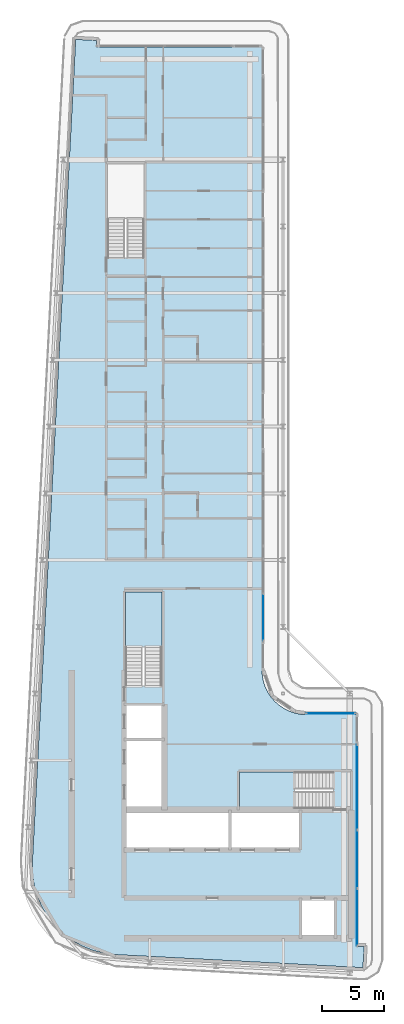
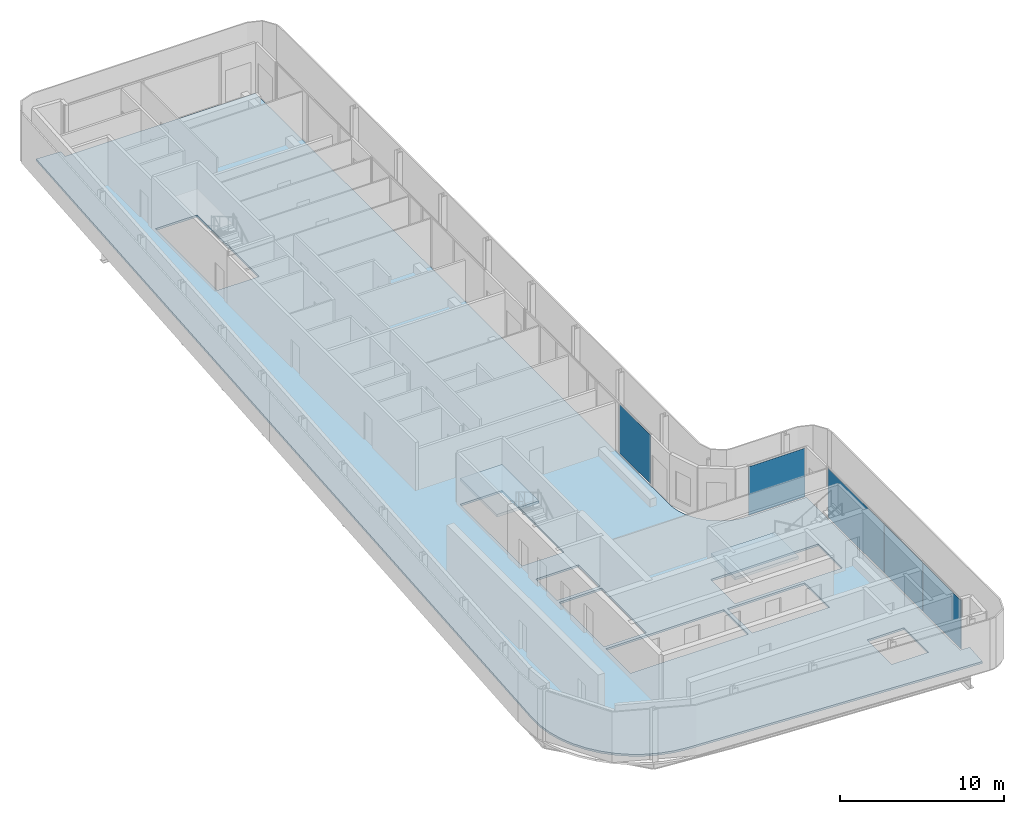
# One storey, part 7 of 18: 5 plates, 3 slabs, 6 elements without a shape of their own.
"""IFC4 building model written with IfcOpenShell, lengths in metres."""

from ifc_helpers import new_model, si_unit, direction, frame, origin, origin_2d, place, context, subcontext, project, spatial, polyline, rectangle, outline, extrude, material, layer, layer_set, type_object, element, aggregate, save


model = new_model("IFC4")

# Units and contexts
model_context = context("Model", 3, precision=1e-05, world=origin(), true_north=direction((0.0, 1.0)))
body_context = subcontext(model_context, "Body", "Model", "MODEL_VIEW")
ifc_project = project(units=[si_unit("LENGTHUNIT", "METRE"), si_unit("AREAUNIT", "SQUARE_METRE"), si_unit("VOLUMEUNIT", "CUBIC_METRE"), si_unit("PLANEANGLEUNIT", "RADIAN"), si_unit("MASSUNIT", "GRAM", prefix="KILO")], contexts=[model_context])

# Site, building, storey
site_placement = place(None, origin())
site = spatial("IfcSite", under=ifc_project, at=site_placement, CompositionType="ELEMENT")
building_placement = place(site_placement, origin())
building = spatial("IfcBuilding", under=site, at=building_placement, Name="Kheshtan School and Residences Tower", CompositionType="ELEMENT")
storey_placement = place(building_placement, frame((0.0, 0.0, 377.300048828125)))
storey = spatial("IfcBuildingStorey", under=building, at=storey_placement, Name="L89", CompositionType="ELEMENT", Elevation=377.300048828125)

# Curtain wall, plate
ifc_material_1 = material(Name="Clear low-e glass in thermally broken aluminium frame", Category="aluminium")
ifc_layer_1 = layer(ifc_material_1, 0.199951171875)
ifc_layer_set_1 = layer_set([ifc_layer_1], Name="Curtain wall CW-B")
curtain_wall_type_1 = type_object("IfcCurtainWallType", Name="Curtain wall CW-B", PredefinedType="NOTDEFINED", material=ifc_layer_set_1)
curtain_wall_1_placement = place(storey_placement, origin())
curtain_wall_1 = element("IfcCurtainWall", 1, at=curtain_wall_1_placement, inside=storey, type_object=curtain_wall_type_1, Name="Curtain wall CWB12", PredefinedType="NOTDEFINED")
ifc_layer_2 = layer(ifc_material_1, 0.031982421875)
ifc_layer_set_2 = layer_set([ifc_layer_2], Name="CW-B glass panel")
plate_type_1 = type_object("IfcPlateType", Name="CW-B glass panel", PredefinedType="CURTAIN_PANEL", material=ifc_layer_set_2)
plate_1_placement = place(storey_placement, frame((51.465087890625, 44.0, 0.0), z_axis=(0.0, 0.0, 1.0), x_axis=(1.0, 0.0, 0.0)))
plate_1 = element("IfcPlate", 2, at=plate_1_placement, type_object=plate_type_1, Name="CWB12 panel 1.1", PredefinedType="CURTAIN_PANEL", context=body_context, shape_type="SweptSolid", body=[
    extrude(rectangle(XDim=3.949951171875, YDim=0.031982421875, at=origin_2d()), origin(), (0.0, 0.0, 1.0), 3.6298828125),
])
aggregate(curtain_wall_1, [plate_1])

ifc_layer_3 = layer(ifc_material_1, 0.199951171875)
ifc_layer_set_3 = layer_set([ifc_layer_3], Name="Curtain wall CW-L")
curtain_wall_type_2 = type_object("IfcCurtainWallType", Name="Curtain wall CW-L", PredefinedType="NOTDEFINED", material=ifc_layer_set_3)
curtain_wall_2_placement = place(storey_placement, origin())
curtain_wall_2 = element("IfcCurtainWall", 3, at=curtain_wall_2_placement, inside=storey, type_object=curtain_wall_type_2, Name="Curtain wall CWL8c", PredefinedType="NOTDEFINED")
ifc_layer_4 = layer(ifc_material_1, 0.031982421875)
ifc_layer_set_4 = layer_set([ifc_layer_4], Name="CW-L glass panel")
plate_type_2 = type_object("IfcPlateType", Name="CW-L glass panel", PredefinedType="CURTAIN_PANEL", material=ifc_layer_set_4)
plate_2_placement = place(storey_placement, frame((46.0, 51.7685546875, 0.0), z_axis=(0.0, 0.0, 1.0), x_axis=(0.0, -1.0, 0.0)))
plate_2 = element("IfcPlate", 4, at=plate_2_placement, type_object=plate_type_2, Name="CWL8c panel 3.1", PredefinedType="CURTAIN_PANEL", context=body_context, shape_type="SweptSolid", body=[
    extrude(rectangle(XDim=3.757080078125, YDim=0.031982421875, at=origin_2d()), origin(), (0.0, 0.0, 1.0), 3.6298828125),
])
aggregate(curtain_wall_2, [plate_2])

curtain_wall_3_placement = place(storey_placement, origin())
curtain_wall_3 = element("IfcCurtainWall", 5, at=curtain_wall_3_placement, inside=storey, type_object=curtain_wall_type_2, Name="Curtain wall CWL13h", PredefinedType="NOTDEFINED")
plate_3_placement = place(storey_placement, frame((53.60009765625, 38.013916015625, 0.0), z_axis=(0.0, 0.0, 1.0), x_axis=(0.0, -1.0, 0.0)))
plate_3 = element("IfcPlate", 6, at=plate_3_placement, type_object=plate_type_2, Name="CWL13h panel 1.1", PredefinedType="CURTAIN_PANEL", context=body_context, shape_type="SweptSolid", body=[
    extrude(rectangle(XDim=6.85205078125, YDim=0.031982421875, at=origin_2d()), origin(), (0.0, 0.0, 1.0), 3.6298828125),
])
aggregate(curtain_wall_3, [plate_3])

# Curtain wall, plates
curtain_wall_4_placement = place(storey_placement, origin())
curtain_wall_4 = element("IfcCurtainWall", 7, at=curtain_wall_4_placement, inside=storey, type_object=curtain_wall_type_2, Name="Curtain wall CWL13i", PredefinedType="NOTDEFINED")
plate_4_placement = place(storey_placement, frame((53.60009765625, 32.199951171875, 0.0), z_axis=(0.0, 0.0, 1.0), x_axis=(0.0, -1.0, 0.0)))
plate_4 = element("IfcPlate", 8, at=plate_4_placement, type_object=plate_type_2, Name="CWL13i panel 1.1", PredefinedType="CURTAIN_PANEL", context=body_context, shape_type="SweptSolid", body=[
    extrude(rectangle(XDim=4.656005859375, YDim=0.031982421875, at=origin_2d()), origin(), (0.0, 0.0, 1.0), 3.6298828125),
])
plate_5_placement = place(storey_placement, frame((53.60009765625, 27.513916015625, 0.0), z_axis=(0.0, 0.0, 1.0), x_axis=(0.0, -1.0, 0.0)))
plate_5 = element("IfcPlate", 9, at=plate_5_placement, type_object=plate_type_2, Name="CWL13i panel 2.1", PredefinedType="CURTAIN_PANEL", context=body_context, shape_type="SweptSolid", body=[
    extrude(rectangle(XDim=4.595947265625, YDim=0.031982421875, at=origin_2d()), origin(), (0.0, 0.0, 1.0), 3.6298828125),
])
aggregate(curtain_wall_4, [plate_4, plate_5])

# Slab
ifc_material_2 = material(Name="Concrete C40/50", Category="concrete")
ifc_layer_5 = layer(ifc_material_2, 0.14990234375)
ifc_layer_set_5 = layer_set([ifc_layer_5], Name="Floor slab 150 Concrete C40/50")
slab_type_1 = type_object("IfcSlabType", Name="Floor slab 150 Concrete C40/50", PredefinedType="FLOOR", material=ifc_layer_set_5)
slab_1_placement = place(storey_placement, frame((0.0, 0.0, -0.150146484375)))
element("IfcSlab", 10, at=slab_1_placement, inside=storey, type_object=slab_type_1, Name="Floor slab L89", PredefinedType="FLOOR", context=body_context, shape_type="SweptSolid", body=[
    extrude(outline(polyline([(28.55908203125, 27.550048828125), (28.0849609375, 28.345947265625), (27.718017578125, 29.200927734375), (27.466064453125, 30.093017578125), (27.466064453125, 30.093994140625), (27.3330078125, 31.013916015625), (27.320068359375, 31.965087890625), (27.320068359375, 31.970947265625), (30.822021484375, 98.5009765625), (30.822998046875, 98.508056640625), (30.825927734375, 98.531005859375), (30.825927734375, 98.531982421875), (30.826904296875, 98.531982421875), (31.422119140625, 98.5), (31.423095703125, 98.5), (31.423095703125, 98.4990234375), (31.423095703125, 98.4951171875), (31.423095703125, 98.493896484375), (31.424072265625, 98.493896484375), (31.424072265625, 98.492919921875), (31.425048828125, 98.492919921875), (31.426025390625, 98.492919921875), (31.426025390625, 98.493896484375), (31.427978515625, 98.49609375), (31.428955078125, 98.4970703125), (31.429931640625, 98.498046875), (31.430908203125, 98.498046875), (31.430908203125, 98.4990234375), (31.431884765625, 98.4990234375), (31.431884765625, 98.5), (31.43505859375, 98.5009765625), (31.43603515625, 98.501953125), (31.43896484375, 98.501953125), (31.43994140625, 98.501953125), (31.43994140625, 98.5029296875), (31.44091796875, 98.5029296875), (31.446044921875, 98.5029296875), (32.5009765625, 98.447021484375), (32.50390625, 98.447021484375), (32.5048828125, 98.447021484375), (32.5048828125, 98.446044921875), (32.506103515625, 98.446044921875), (32.510009765625, 98.446044921875), (32.510009765625, 98.445068359375), (32.510986328125, 98.445068359375), (32.510986328125, 98.444091796875), (32.511962890625, 98.444091796875), (32.511962890625, 98.443115234375), (32.512939453125, 98.443115234375), (32.513916015625, 98.443115234375), (32.513916015625, 98.44189453125), (32.514892578125, 98.44189453125), (32.51611328125, 98.44189453125), (32.51904296875, 98.43896484375), (32.51904296875, 98.43798828125), (32.51904296875, 98.43701171875), (32.52001953125, 98.43701171875), (32.52001953125, 98.43603515625), (32.52099609375, 98.43603515625), (32.52099609375, 98.43408203125), (32.52099609375, 98.43310546875), (32.52197265625, 98.43310546875), (32.52197265625, 98.431884765625), (32.52294921875, 98.431884765625), (32.52294921875, 98.430908203125), (32.52294921875, 98.428955078125), (32.52294921875, 98.427978515625), (32.52392578125, 98.427978515625), (32.52392578125, 98.427001953125), (32.52392578125, 98.422119140625), (32.4970703125, 97.9208984375), (32.4970703125, 97.91796875), (32.4970703125, 97.9169921875), (32.49609375, 97.9169921875), (32.49609375, 97.916015625), (32.49609375, 97.912109375), (32.4951171875, 97.910888671875), (32.4951171875, 97.909912109375), (32.493896484375, 97.909912109375), (32.493896484375, 97.908935546875), (32.492919921875, 97.908935546875), (32.492919921875, 97.907958984375), (32.489013671875, 97.904052734375), (32.488037109375, 97.904052734375), (32.488037109375, 97.903076171875), (32.488037109375, 97.902099609375), (32.488037109375, 97.90087890625), (32.489013671875, 97.90087890625), (32.489013671875, 97.89990234375), (32.489990234375, 97.89990234375), (45.85498046875, 97.89990234375), (45.864990234375, 97.89794921875), (45.865966796875, 97.89794921875), (45.868896484375, 97.89599609375), (45.8740234375, 97.89404296875), (45.8779296875, 97.89208984375), (45.881103515625, 97.889892578125), (45.881103515625, 97.888916015625), (45.882080078125, 97.888916015625), (45.882080078125, 97.887939453125), (45.883056640625, 97.887939453125), (45.884033203125, 97.885009765625), (45.885009765625, 97.885009765625), (45.885009765625, 97.884033203125), (45.887939453125, 97.883056640625), (45.887939453125, 97.882080078125), (45.888916015625, 97.882080078125), (45.888916015625, 97.881103515625), (45.889892578125, 97.881103515625), (45.89208984375, 97.8779296875), (45.89404296875, 97.8740234375), (45.89599609375, 97.868896484375), (45.89794921875, 97.865966796875), (45.89794921875, 97.864990234375), (45.89990234375, 97.85498046875), (45.89990234375, 47.429931640625), (45.927001953125, 47.030029296875), (46.01806640625, 46.570068359375), (46.01806640625, 46.569091796875), (46.169921875, 46.1201171875), (46.37890625, 45.697021484375), (46.638916015625, 45.30810546875), (46.949951171875, 44.950927734375), (46.950927734375, 44.949951171875), (47.30810546875, 44.638916015625), (47.697021484375, 44.37890625), (48.1201171875, 44.169921875), (48.569091796875, 44.01806640625), (48.570068359375, 44.01806640625), (49.030029296875, 43.927001953125), (49.429931640625, 43.89990234375), (53.455078125, 43.89990234375), (53.465087890625, 43.89794921875), (53.466064453125, 43.89794921875), (53.468994140625, 43.89599609375), (53.47412109375, 43.89404296875), (53.47802734375, 43.89208984375), (53.48095703125, 43.889892578125), (53.48095703125, 43.888916015625), (53.48193359375, 43.888916015625), (53.48193359375, 43.887939453125), (53.48291015625, 43.887939453125), (53.48388671875, 43.885009765625), (53.485107421875, 43.885009765625), (53.485107421875, 43.884033203125), (53.488037109375, 43.883056640625), (53.488037109375, 43.882080078125), (53.489013671875, 43.882080078125), (53.489013671875, 43.881103515625), (53.489990234375, 43.881103515625), (53.491943359375, 43.8779296875), (53.493896484375, 43.8740234375), (53.49609375, 43.868896484375), (53.498046875, 43.865966796875), (53.498046875, 43.864990234375), (53.4990234375, 43.860107421875), (53.5, 43.85498046875), (53.5, 25.15087890625), (53.5, 25.14990234375), (53.5009765625, 25.14990234375), (53.5009765625, 25.14892578125), (53.501953125, 25.14892578125), (53.5029296875, 25.14892578125), (53.5029296875, 25.14990234375), (53.506103515625, 25.153076171875), (53.507080078125, 25.154052734375), (53.508056640625, 25.154052734375), (53.508056640625, 25.155029296875), (53.509033203125, 25.155029296875), (53.509033203125, 25.156005859375), (53.512939453125, 25.157958984375), (53.51611328125, 25.157958984375), (53.51708984375, 25.157958984375), (53.51708984375, 25.158935546875), (53.51806640625, 25.158935546875), (53.52294921875, 25.158935546875), (54.137939453125, 25.1259765625), (54.14111328125, 25.1259765625), (54.14208984375, 25.1259765625), (54.14208984375, 25.125), (54.14306640625, 25.125), (54.14697265625, 25.125), (54.14697265625, 25.1240234375), (54.14794921875, 25.1240234375), (54.14794921875, 25.123046875), (54.14892578125, 25.123046875), (54.14892578125, 25.1220703125), (54.14990234375, 25.1220703125), (54.15087890625, 25.1220703125), (54.15087890625, 25.12109375), (54.152099609375, 25.12109375), (54.153076171875, 25.12109375), (54.156005859375, 25.117919921875), (54.156005859375, 25.116943359375), (54.156005859375, 25.115966796875), (54.156982421875, 25.115966796875), (54.156982421875, 25.114990234375), (54.157958984375, 25.114990234375), (54.157958984375, 25.113037109375), (54.157958984375, 25.112060546875), (54.158935546875, 25.112060546875), (54.158935546875, 25.111083984375), (54.159912109375, 25.111083984375), (54.159912109375, 25.110107421875), (54.159912109375, 25.10791015625), (54.159912109375, 25.10693359375), (54.160888671875, 25.10693359375), (54.160888671875, 25.10595703125), (54.160888671875, 25.10107421875), (54.10498046875, 24.0439453125), (54.10498046875, 24.041015625), (54.10498046875, 24.0400390625), (54.10400390625, 24.0400390625), (54.10400390625, 24.0390625), (54.10400390625, 24.034912109375), (54.10302734375, 24.033935546875), (54.10302734375, 24.032958984375), (54.10205078125, 24.032958984375), (54.10205078125, 24.031982421875), (54.10107421875, 24.031982421875), (54.10107421875, 24.031005859375), (54.096923828125, 24.027099609375), (54.095947265625, 24.027099609375), (54.095947265625, 24.02587890625), (54.095947265625, 24.02490234375), (54.095947265625, 24.02392578125), (54.096923828125, 24.02392578125), (54.096923828125, 24.02294921875), (54.097900390625, 24.02294921875), (54.09912109375, 24.02294921875), (54.10009765625, 24.02294921875), (54.10009765625, 24.02197265625), (54.068115234375, 23.427001953125), (54.068115234375, 23.426025390625), (54.06689453125, 23.426025390625), (54.04296875, 23.425048828125), (54.0380859375, 23.425048828125), (34.056884765625, 24.47802734375), (33.114990234375, 24.590087890625), (32.215087890625, 24.819091796875), (32.214111328125, 24.819091796875), (31.35205078125, 25.1630859375), (30.541015625, 25.616943359375), (29.799072265625, 26.1708984375), (29.799072265625, 26.172119140625), (29.798095703125, 26.172119140625), (29.134033203125, 26.820068359375), (29.134033203125, 26.821044921875), (29.133056640625, 26.821044921875), (28.55908203125, 27.550048828125)]), holes=[polyline([(53.5009765625, 24.030029296875), (53.5, 24.030029296875), (53.5, 24.029052734375), (53.5, 24.02490234375), (53.5, 24.02392578125), (53.5009765625, 24.02392578125), (53.5009765625, 24.02294921875), (53.501953125, 24.02294921875), (53.506103515625, 24.02294921875), (53.507080078125, 24.02294921875), (53.507080078125, 24.02392578125), (53.508056640625, 24.02392578125), (53.508056640625, 24.02490234375), (53.508056640625, 24.02587890625), (53.507080078125, 24.02587890625), (53.50390625, 24.029052734375), (53.5029296875, 24.030029296875), (53.5029296875, 24.031005859375), (53.501953125, 24.031005859375), (53.5009765625, 24.031005859375), (53.5009765625, 24.030029296875)]), polyline([(31.424072265625, 97.906982421875), (31.423095703125, 97.906982421875), (31.423095703125, 97.906005859375), (31.423095703125, 97.902099609375), (31.423095703125, 97.90087890625), (31.424072265625, 97.90087890625), (31.424072265625, 97.89990234375), (31.425048828125, 97.89990234375), (31.428955078125, 97.89990234375), (31.429931640625, 97.89990234375), (31.429931640625, 97.90087890625), (31.430908203125, 97.90087890625), (31.430908203125, 97.902099609375), (31.430908203125, 97.903076171875), (31.429931640625, 97.903076171875), (31.428955078125, 97.904052734375), (31.427978515625, 97.905029296875), (31.427001953125, 97.906005859375), (31.426025390625, 97.906982421875), (31.426025390625, 97.907958984375), (31.425048828125, 97.907958984375), (31.424072265625, 97.907958984375), (31.424072265625, 97.906982421875)]), polyline([(51.72509765625, 28.925048828125), (49.125, 28.925048828125), (49.125, 25.925048828125), (51.72509765625, 25.925048828125), (51.72509765625, 28.925048828125)]), polyline([(43.175048828125, 33.074951171875), (43.175048828125, 36.074951171875), (34.875, 36.074951171875), (34.875, 33.074951171875), (43.175048828125, 33.074951171875)]), polyline([(43.425048828125, 36.074951171875), (43.425048828125, 33.074951171875), (48.875, 33.074951171875), (48.875, 36.074951171875), (43.425048828125, 36.074951171875)]), polyline([(51.64990234375, 37.699951171875), (51.64990234375, 39.25), (44.090087890625, 39.25), (44.090087890625, 36.300048828125), (51.639892578125, 36.300048828125), (51.639892578125, 37.699951171875), (51.64990234375, 37.699951171875)]), polyline([(37.875, 41.77490234375), (34.875, 41.77490234375), (34.875, 36.324951171875), (37.875, 36.324951171875), (37.875, 41.77490234375)]), polyline([(37.875, 44.625), (34.875, 44.625), (34.875, 42.02490234375), (37.875, 42.02490234375), (37.875, 44.625)]), polyline([(37.800048828125, 53.81005859375), (34.85009765625, 53.81005859375), (34.85009765625, 46.260009765625), (36.25, 46.260009765625), (36.25, 46.25), (37.800048828125, 46.25), (37.800048828125, 53.81005859375)]), polyline([(36.35009765625, 88.4599609375), (33.39990234375, 88.4599609375), (33.39990234375, 80.909912109375), (34.800048828125, 80.909912109375), (34.800048828125, 80.89990234375), (36.35009765625, 80.89990234375), (36.35009765625, 88.4599609375)])]), origin(), (0.0, 0.0, 1.0), 0.150146484375),
])

# Stair, slab
stair_type = type_object("IfcStairType", Name="Exit stair, half-turn", PredefinedType="HALF_TURN_STAIR", material=ifc_material_2)
stair_1_placement = place(storey_placement, origin())
stair_1 = element("IfcStair", 11, at=stair_1_placement, inside=storey, type_object=stair_type, Name="L89 Protected Exit Stair ST1", PredefinedType="HALF_TURN_STAIR")
ifc_layer_6 = layer(ifc_material_2, 0.199951171875)
ifc_layer_set_6 = layer_set([ifc_layer_6], Name="Stair landing 200 Concrete C40/50")
slab_type_2 = type_object("IfcSlabType", Name="Stair landing 200 Concrete C40/50", PredefinedType="LANDING", material=ifc_layer_set_6)
slab_2_placement = place(storey_placement, frame((0.0, 0.0, 1.75)))
slab_2 = element("IfcSlab", 12, at=slab_2_placement, type_object=slab_type_2, Name="ST1 landing 1", PredefinedType="LANDING", context=body_context, shape_type="SweptSolid", body=[
    extrude(outline(polyline([(48.570068359375, 39.25), (44.090087890625, 39.25), (44.090087890625, 36.300048828125), (48.570068359375, 36.300048828125), (48.570068359375, 39.25)])), origin(), (0.0, 0.0, 1.0), 0.199951171875),
])
aggregate(stair_1, [slab_2])

stair_2_placement = place(storey_placement, origin())
stair_2 = element("IfcStair", 13, at=stair_2_placement, inside=storey, type_object=stair_type, Name="L89 Protected Exit Stair ST2", PredefinedType="HALF_TURN_STAIR")
slab_3_placement = place(storey_placement, frame((0.0, 0.0, 1.75)))
slab_3 = element("IfcSlab", 14, at=slab_3_placement, type_object=slab_type_2, Name="ST2 landing 1", PredefinedType="LANDING", context=body_context, shape_type="SweptSolid", body=[
    extrude(outline(polyline([(37.800048828125, 49.330078125), (37.800048828125, 53.81005859375), (34.85009765625, 53.81005859375), (34.85009765625, 49.330078125), (37.800048828125, 49.330078125)])), origin(), (0.0, 0.0, 1.0), 0.199951171875),
])
aggregate(stair_2, [slab_3])

save(model, "model.ifc")
